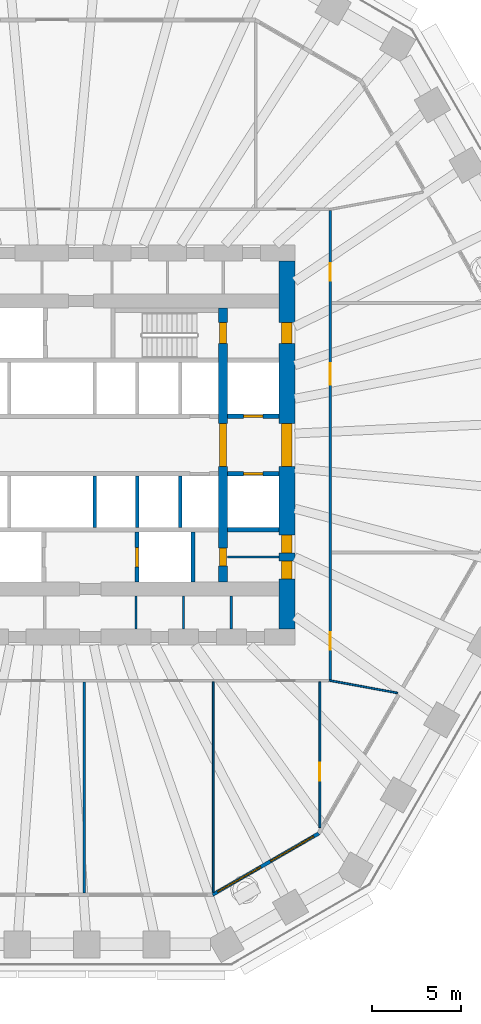
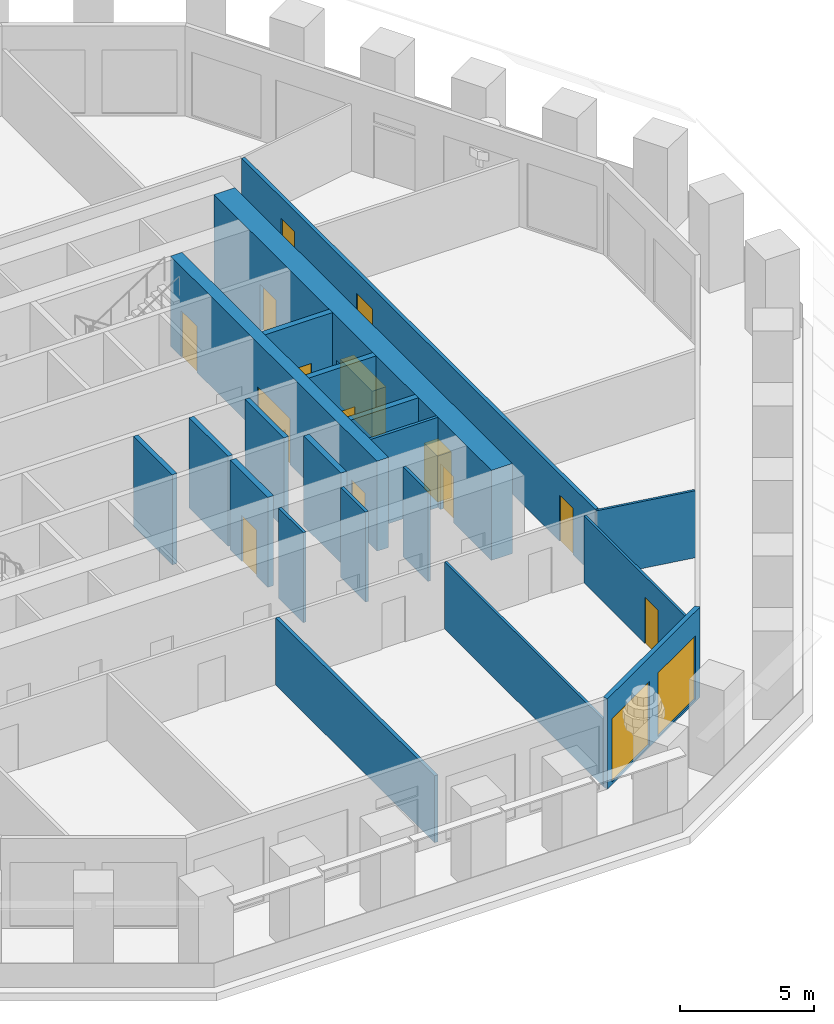
# One storey, part 5 of 12: 20 walls, 14 doors, 2 windows, 16 openings.
"""IFC4 building model written with IfcOpenShell, lengths in metres."""

from ifc_helpers import new_model, si_unit, direction, frame, frame_2d, origin, place, context, subcontext, project, spatial, polyline, rectangle, outline, extrude, material, layer, layer_set, type_object, element, fill, save


model = new_model("IFC4")

# Units and contexts
model_context = context("Model", 3, precision=1e-05, world=origin(), true_north=direction((0.0, 1.0)))
body_context = subcontext(model_context, "Body", "Model", "MODEL_VIEW")
ifc_project = project(units=[si_unit("LENGTHUNIT", "METRE"), si_unit("AREAUNIT", "SQUARE_METRE"), si_unit("VOLUMEUNIT", "CUBIC_METRE"), si_unit("PLANEANGLEUNIT", "RADIAN"), si_unit("MASSUNIT", "GRAM", prefix="KILO")], contexts=[model_context])

# Site, building, storey
site_placement = place(None, origin())
site = spatial("IfcSite", under=ifc_project, at=site_placement, CompositionType="ELEMENT")
building_placement = place(site_placement, origin())
building = spatial("IfcBuilding", under=site, at=building_placement, Name="Frailejon Research Tower", CompositionType="ELEMENT")
storey_placement = place(building_placement, frame((0.0, 0.0, 63.0)))
storey = spatial("IfcBuildingStorey", under=building, at=storey_placement, Name="L14", CompositionType="ELEMENT", Elevation=63.0)

# Walls
ifc_material_1 = material(Name="Plasterboard on steel studs", Category="steel")
ifc_layer_1 = layer(ifc_material_1, 0.125)
ifc_layer_set_1 = layer_set([ifc_layer_1], Name="Core partition 125")
wall_type_1 = type_object("IfcWallType", Name="Core partition 125", PredefinedType="PARTITIONING", material=ifc_layer_set_1)
wall_1_placement = place(storey_placement, frame((9.85009765625, -6.300048828125, 0.0), z_axis=(0.0, 0.0, 1.0), x_axis=(1.0, 0.0, 0.0)))
element("IfcWall", 1, at=wall_1_placement, inside=storey, type_object=wall_type_1, Name="Core partition", PredefinedType="PARTITIONING", context=body_context, shape_type="SweptSolid", body=[
    extrude(rectangle(XDim=2.89990234375, YDim=0.125, at=frame_2d((1.449951171875, 0.0))), origin(), (0.0, 0.0, 1.0), 4.10009765625),
])
for number, where, z_axis, x_axis, name in (
    (2, (4.71240234375, -10.35009765625, 0.0), (0.0, 0.0, 1.0), (0.0, 1.0, 0.0), "Core partition"),
    (3, (7.3916015625, -10.35009765625, 0.0), (0.0, 0.0, 1.0), (0.0, 1.0, 0.0), "Core partition"),
    (4, (10.07080078125, -10.35009765625, 0.0), (0.0, 0.0, 1.0), (0.0, 1.0, 0.0), "Core partition"),
):
    element("IfcWall", number, at=place(storey_placement, frame(where, z_axis=z_axis, x_axis=x_axis)), inside=storey, type_object=wall_type_1, Name=name, PredefinedType="PARTITIONING", context=body_context, shape_type="SweptSolid", body=[
        extrude(rectangle(XDim=1.85009765625, YDim=0.125, at=frame_2d((0.925048828125, 0.0))), origin(), (0.0, 0.0, 1.0), 4.10009765625),
    ])

# Wall, openings, doors
ifc_material_2 = material(Name="Concrete C70/85", Category="concrete")
ifc_layer_2 = layer(ifc_material_2, 0.5)
ifc_layer_set_2 = layer_set([ifc_layer_2], Name="Core shear wall 500 C70/85")
wall_type_2 = type_object("IfcWallType", Name="Core shear wall 500 C70/85", PredefinedType="SHEAR", material=ifc_layer_set_2)
wall_2_placement = place(storey_placement, frame((9.60009765625, -7.699951171875, 0.0), z_axis=(0.0, 0.0, 1.0), x_axis=(0.0, 1.0, 0.0)))
wall_2 = element("IfcWall", 5, at=wall_2_placement, inside=storey, type_object=wall_type_2, Name="Core shear wall", PredefinedType="SHEAR", context=body_context, shape_type="SweptSolid", body=[
    extrude(rectangle(XDim=15.39990234375, YDim=0.5, at=frame_2d((7.699951171875, 0.0))), origin(), (0.0, 0.0, 1.0), 4.10009765625),
])
opening_1_placement = place(wall_2_placement, frame((6.5, 0.0, 0.0)))
opening_1 = element("IfcOpeningElement", 6, at=opening_1_placement, cuts=wall_2, Name="Opening D2", PredefinedType="OPENING", context=body_context, shape_type="SweptSolid", body=[
    extrude(rectangle(XDim=2.39990234375, YDim=2.10009765625, at=frame_2d((1.199951171875, 1.050048828125))), frame((0.0, 0.260009765625, 0.0), z_axis=(0.0, -1.0, 0.0), x_axis=(1.0, 0.0, 0.0)), (0.0, 0.0, 1.0), 0.52001953125),
])
opening_2_placement = place(wall_2_placement, frame((13.39990234375, 0.0, 0.0)))
opening_2 = element("IfcOpeningElement", 7, at=opening_2_placement, cuts=wall_2, Name="Opening D1", PredefinedType="OPENING", context=body_context, shape_type="SweptSolid", body=[
    extrude(rectangle(XDim=1.199951171875, YDim=2.10009765625, at=frame_2d((0.60009765625, 1.050048828125))), frame((0.0, 0.260009765625, 0.0), z_axis=(0.0, -1.0, 0.0), x_axis=(1.0, 0.0, 0.0)), (0.0, 0.0, 1.0), 0.52001953125),
])
opening_3_placement = place(wall_2_placement, frame((0.89990234375, 0.0, 0.0)))
opening_3 = element("IfcOpeningElement", 8, at=opening_3_placement, cuts=wall_2, Name="Opening D4", PredefinedType="OPENING", context=body_context, shape_type="SweptSolid", body=[
    extrude(rectangle(XDim=1.0, YDim=2.10009765625, at=frame_2d((0.5, 1.050048828125))), frame((0.0, 0.260009765625, 0.0), z_axis=(0.0, -1.0, 0.0), x_axis=(1.0, 0.0, 0.0)), (0.0, 0.0, 1.0), 0.52001953125),
])
ifc_material_3 = material(Name="Steel", Category="steel")
door_type_1 = type_object("IfcDoorType", Name="Lobby double door", OperationType="DOUBLE_DOOR_SINGLE_SWING", PredefinedType="DOOR", material=ifc_material_3)
door_1_placement = place(opening_1_placement, origin())
door_1 = element("IfcDoor", 9, at=door_1_placement, inside=storey, type_object=door_type_1, Name="Lobby door", OperationType="DOUBLE_DOOR_SINGLE_SWING", OverallHeight=2.10009765625, OverallWidth=2.39990234375, PredefinedType="DOOR", context=body_context, shape_type="SweptSolid", body=[
    extrude(rectangle(XDim=2.39990234375, YDim=2.10009765625, at=frame_2d((1.199951171875, 1.050048828125))), frame((0.0, 0.199951171875, 0.0), z_axis=(0.0, -1.0, 0.0), x_axis=(1.0, 0.0, 0.0)), (0.0, 0.0, 1.0), 0.39990234375),
])
fill(opening_1, door_1)
ifc_material_4 = material(Name="Steel", Category="steel")
door_type_2 = type_object("IfcDoorType", Name="Service door", OperationType="SINGLE_SWING_LEFT", PredefinedType="DOOR", material=ifc_material_4)
door_2_placement = place(opening_3_placement, origin())
door_2 = element("IfcDoor", 10, at=door_2_placement, inside=storey, type_object=door_type_2, Name="Riser door", OperationType="SINGLE_SWING_LEFT", OverallHeight=2.10009765625, OverallWidth=1.0, PredefinedType="DOOR", context=body_context, shape_type="SweptSolid", body=[
    extrude(rectangle(XDim=1.0, YDim=2.10009765625, at=frame_2d((0.5, 1.050048828125))), frame((0.0, 0.199951171875, 0.0), z_axis=(0.0, -1.0, 0.0), x_axis=(1.0, 0.0, 0.0)), (0.0, 0.0, 1.0), 0.39990234375),
])
fill(opening_3, door_2)
ifc_material_5 = material(Name="Steel", Category="steel")
door_type_3 = type_object("IfcDoorType", Name="Stair door", OperationType="SINGLE_SWING_LEFT", PredefinedType="DOOR", material=ifc_material_5)
door_3_placement = place(opening_2_placement, origin())
door_3 = element("IfcDoor", 11, at=door_3_placement, inside=storey, type_object=door_type_3, Name="Stair door ST3", OperationType="SINGLE_SWING_LEFT", OverallHeight=2.10009765625, OverallWidth=1.199951171875, PredefinedType="DOOR", context=body_context, shape_type="SweptSolid", body=[
    extrude(rectangle(XDim=1.199951171875, YDim=2.10009765625, at=frame_2d((0.60009765625, 1.050048828125))), frame((0.0, 0.199951171875, 0.0), z_axis=(0.0, -1.0, 0.0), x_axis=(1.0, 0.0, 0.0)), (0.0, 0.0, 1.0), 0.39990234375),
])
fill(opening_2, door_3)

ifc_material_6 = material(Name="Concrete C70/85", Category="concrete")
ifc_layer_3 = layer(ifc_material_6, 0.89990234375)
ifc_layer_set_3 = layer_set([ifc_layer_3], Name="Core shear wall 900 C70/85")
wall_type_3 = type_object("IfcWallType", Name="Core shear wall 900 C70/85", PredefinedType="SHEAR", material=ifc_layer_set_3)
wall_3_placement = place(storey_placement, frame((13.199951171875, -10.35009765625, 0.0), z_axis=(0.0, 0.0, 1.0), x_axis=(0.0, 1.0, 0.0)))
wall_3 = element("IfcWall", 12, at=wall_3_placement, inside=storey, type_object=wall_type_3, Name="Core shear wall", PredefinedType="SHEAR", context=body_context, shape_type="SweptSolid", body=[
    extrude(rectangle(XDim=20.7001953125, YDim=0.89990234375, at=frame_2d((10.35009765625, 0.0))), origin(), (0.0, 0.0, 1.0), 4.10009765625),
])
opening_4_placement = place(wall_3_placement, frame((9.14990234375, 0.0, 0.0)))
opening_4 = element("IfcOpeningElement", 13, at=opening_4_placement, cuts=wall_3, Name="Opening D2", PredefinedType="OPENING", context=body_context, shape_type="SweptSolid", body=[
    extrude(rectangle(XDim=2.39990234375, YDim=2.10009765625, at=frame_2d((1.199951171875, 1.050048828125))), frame((0.0, 0.4599609375, 0.0), z_axis=(0.0, -1.0, 0.0), x_axis=(1.0, 0.0, 0.0)), (0.0, 0.0, 1.0), 0.919921875),
])
opening_5_placement = place(wall_3_placement, frame((16.050048828125, 0.0, 0.0)))
opening_5 = element("IfcOpeningElement", 14, at=opening_5_placement, cuts=wall_3, Name="Opening D7", PredefinedType="OPENING", context=body_context, shape_type="SweptSolid", body=[
    extrude(rectangle(XDim=1.199951171875, YDim=2.10009765625, at=frame_2d((0.60009765625, 1.050048828125))), frame((0.0, 0.4599609375, 0.0), z_axis=(0.0, -1.0, 0.0), x_axis=(1.0, 0.0, 0.0)), (0.0, 0.0, 1.0), 0.919921875),
])
opening_6_placement = place(wall_3_placement, frame((2.81884765625, 0.0, 0.0)))
opening_6 = element("IfcOpeningElement", 15, at=opening_6_placement, cuts=wall_3, Name="Opening D4", PredefinedType="OPENING", context=body_context, shape_type="SweptSolid", body=[
    extrude(rectangle(XDim=1.0, YDim=2.10009765625, at=frame_2d((0.5, 1.050048828125))), frame((0.0, 0.4599609375, 0.0), z_axis=(0.0, -1.0, 0.0), x_axis=(1.0, 0.0, 0.0)), (0.0, 0.0, 1.0), 0.919921875),
])
opening_7_placement = place(wall_3_placement, frame((4.28125, 0.0, 0.0)))
opening_7 = element("IfcOpeningElement", 16, at=opening_7_placement, cuts=wall_3, Name="Opening D4", PredefinedType="OPENING", context=body_context, shape_type="SweptSolid", body=[
    extrude(rectangle(XDim=1.0, YDim=2.10009765625, at=frame_2d((0.5, 1.050048828125))), frame((0.0, 0.4599609375, 0.0), z_axis=(0.0, -1.0, 0.0), x_axis=(1.0, 0.0, 0.0)), (0.0, 0.0, 1.0), 0.919921875),
])
door_4_placement = place(opening_4_placement, origin())
door_4 = element("IfcDoor", 17, at=door_4_placement, inside=storey, type_object=door_type_1, Name="Lobby door", OperationType="DOUBLE_DOOR_SINGLE_SWING", OverallHeight=2.10009765625, OverallWidth=2.39990234375, PredefinedType="DOOR", context=body_context, shape_type="SweptSolid", body=[
    extrude(rectangle(XDim=2.39990234375, YDim=2.10009765625, at=frame_2d((1.199951171875, 1.050048828125))), frame((0.0, 0.300048828125, 0.0), z_axis=(0.0, -1.0, 0.0), x_axis=(1.0, 0.0, 0.0)), (0.0, 0.0, 1.0), 0.60009765625),
])
fill(opening_4, door_4)
door_5_placement = place(opening_6_placement, origin())
door_5 = element("IfcDoor", 18, at=door_5_placement, inside=storey, type_object=door_type_2, Name="Store door", OperationType="SINGLE_SWING_RIGHT", OverallHeight=2.10009765625, OverallWidth=1.0, PredefinedType="DOOR", context=body_context, shape_type="SweptSolid", body=[
    extrude(rectangle(XDim=1.0, YDim=2.10009765625, at=frame_2d((0.5, 1.050048828125))), frame((0.0, 0.300048828125, 0.0), z_axis=(0.0, -1.0, 0.0), x_axis=(1.0, 0.0, 0.0)), (0.0, 0.0, 1.0), 0.60009765625),
])
fill(opening_6, door_5)
door_6_placement = place(opening_7_placement, origin())
door_6 = element("IfcDoor", 19, at=door_6_placement, inside=storey, type_object=door_type_2, Name="Store door", OperationType="SINGLE_SWING_LEFT", OverallHeight=2.10009765625, OverallWidth=1.0, PredefinedType="DOOR", context=body_context, shape_type="SweptSolid", body=[
    extrude(rectangle(XDim=1.0, YDim=2.10009765625, at=frame_2d((0.5, 1.050048828125))), frame((0.0, 0.300048828125, 0.0), z_axis=(0.0, -1.0, 0.0), x_axis=(1.0, 0.0, 0.0)), (0.0, 0.0, 1.0), 0.60009765625),
])
fill(opening_7, door_6)
ifc_material_7 = material(Name="Steel", Category="steel")
door_type_4 = type_object("IfcDoorType", Name="Stair exit door", OperationType="SINGLE_SWING_LEFT", PredefinedType="DOOR", material=ifc_material_7)
door_7_placement = place(opening_5_placement, origin())
door_7 = element("IfcDoor", 20, at=door_7_placement, inside=storey, type_object=door_type_4, Name="Stair exit door ST3", OperationType="SINGLE_SWING_RIGHT", OverallHeight=2.10009765625, OverallWidth=1.199951171875, PredefinedType="DOOR", context=body_context, shape_type="SweptSolid", body=[
    extrude(rectangle(XDim=1.199951171875, YDim=2.10009765625, at=frame_2d((0.60009765625, 1.050048828125))), frame((0.0, 0.300048828125, 0.0), z_axis=(0.0, -1.0, 0.0), x_axis=(1.0, 0.0, 0.0)), (0.0, 0.0, 1.0), 0.60009765625),
])
fill(opening_5, door_7)

ifc_material_8 = material(Name="Gypsum board and masonry partition", Category="masonry")
ifc_layer_4 = layer(ifc_material_8, 0.14990234375)
ifc_layer_set_4 = layer_set([ifc_layer_4], Name="Corridor wall EI 60, gypsum on steel studs 150")
wall_type_4 = type_object("IfcWallType", Name="Corridor wall EI 60, gypsum on steel studs 150", PredefinedType="PARTITIONING", material=ifc_layer_set_4)
wall_4_placement = place(storey_placement, frame((15.64990234375, -13.175048828125, 0.0), z_axis=(0.0, 0.0, 1.0), x_axis=(0.0, 1.0, 0.0)))
wall_4 = element("IfcWall", 21, at=wall_4_placement, inside=storey, type_object=wall_type_4, Name="T:IW:L14:001", PredefinedType="PARTITIONING", context=body_context, shape_type="SweptSolid", body=[
    extrude(rectangle(XDim=26.35009765625, YDim=0.14990234375, at=frame_2d((13.175048828125, 0.0))), origin(), (0.0, 0.0, 1.0), 3.050048828125),
])
opening_8_placement = place(wall_4_placement, frame((16.576416015625, 0.0, 0.0)))
opening_8 = element("IfcOpeningElement", 22, at=opening_8_placement, cuts=wall_4, Name="Opening D1451", PredefinedType="OPENING", context=body_context, shape_type="SweptSolid", body=[
    extrude(rectangle(XDim=1.199951171875, YDim=2.10009765625, at=frame_2d((0.60009765625, 1.050048828125))), frame((0.0, 0.0849609375, 0.0), z_axis=(0.0, -1.0, 0.0), x_axis=(1.0, 0.0, 0.0)), (0.0, 0.0, 1.0), 0.169921875),
])
opening_9_placement = place(wall_4_placement, frame((22.40087890625, 0.0, 0.0)))
opening_9 = element("IfcOpeningElement", 23, at=opening_9_placement, cuts=wall_4, Name="Opening D1452", PredefinedType="OPENING", context=body_context, shape_type="SweptSolid", body=[
    extrude(rectangle(XDim=1.0, YDim=2.10009765625, at=frame_2d((0.5, 1.050048828125))), frame((0.0, 0.0849609375, 0.0), z_axis=(0.0, -1.0, 0.0), x_axis=(1.0, 0.0, 0.0)), (0.0, 0.0, 1.0), 0.169921875),
])
opening_10_placement = place(wall_4_placement, frame((1.650390625, 0.0, 0.0)))
opening_10 = element("IfcOpeningElement", 24, at=opening_10_placement, cuts=wall_4, Name="Opening D1466", PredefinedType="OPENING", context=body_context, shape_type="SweptSolid", body=[
    extrude(rectangle(XDim=1.0, YDim=2.10009765625, at=frame_2d((0.5, 1.050048828125))), frame((0.0, 0.0849609375, 0.0), z_axis=(0.0, -1.0, 0.0), x_axis=(1.0, 0.0, 0.0)), (0.0, 0.0, 1.0), 0.169921875),
])
ifc_material_9 = material(Name="Timber door leaf", Category="wood")
door_type_5 = type_object("IfcDoorType", Name="Door laboratory, timber, vision panel 1200", OperationType="NOTDEFINED", PredefinedType="DOOR", material=ifc_material_9)
door_8_placement = place(opening_8_placement, origin())
door_8 = element("IfcDoor", 25, at=door_8_placement, inside=storey, type_object=door_type_5, Name="D1451", OperationType="DOUBLE_DOOR_SINGLE_SWING", OverallHeight=2.10009765625, OverallWidth=1.199951171875, PredefinedType="DOOR", context=body_context, shape_type="SweptSolid", body=[
    extrude(rectangle(XDim=1.199951171875, YDim=2.10009765625, at=frame_2d((0.60009765625, 1.050048828125))), frame((0.0, 0.02490234375, 0.0), z_axis=(0.0, -1.0, 0.0), x_axis=(1.0, 0.0, 0.0)), (0.0, 0.0, 1.0), 0.050048828125),
])
fill(opening_8, door_8)
ifc_material_10 = material(Name="Timber door leaf", Category="wood")
door_type_6 = type_object("IfcDoorType", Name="Door single leaf, timber, steel frame 1000", OperationType="NOTDEFINED", PredefinedType="DOOR", material=ifc_material_10)
door_9_placement = place(opening_9_placement, origin())
door_9 = element("IfcDoor", 26, at=door_9_placement, inside=storey, type_object=door_type_6, Name="D1452", OperationType="SINGLE_SWING_RIGHT", OverallHeight=2.10009765625, OverallWidth=1.0, PredefinedType="DOOR", context=body_context, shape_type="SweptSolid", body=[
    extrude(rectangle(XDim=1.0, YDim=2.10009765625, at=frame_2d((0.5, 1.050048828125))), frame((0.0, 0.02490234375, 0.0), z_axis=(0.0, -1.0, 0.0), x_axis=(1.0, 0.0, 0.0)), (0.0, 0.0, 1.0), 0.050048828125),
])
fill(opening_9, door_9)
door_10_placement = place(opening_10_placement, origin())
door_10 = element("IfcDoor", 27, at=door_10_placement, inside=storey, type_object=door_type_6, Name="D1466", OperationType="SINGLE_SWING_RIGHT", OverallHeight=2.10009765625, OverallWidth=1.0, PredefinedType="DOOR", context=body_context, shape_type="SweptSolid", body=[
    extrude(rectangle(XDim=1.0, YDim=2.10009765625, at=frame_2d((0.5, 1.050048828125))), frame((0.0, 0.02490234375, 0.0), z_axis=(0.0, -1.0, 0.0), x_axis=(1.0, 0.0, 0.0)), (0.0, 0.0, 1.0), 0.050048828125),
])
fill(opening_10, door_10)

# Walls
ifc_material_11 = material(Name="Gypsum board and masonry partition", Category="masonry")
ifc_layer_5 = layer(ifc_material_11, 0.14990234375)
ifc_layer_set_5 = layer_set([ifc_layer_5], Name="Laboratory partition, blockwork 150")
wall_type_5 = type_object("IfcWallType", Name="Laboratory partition, blockwork 150", PredefinedType="PARTITIONING", material=ifc_layer_set_5)
wall_5_placement = place(storey_placement, frame((1.8115234375, -25.182861328125, 0.0), z_axis=(0.0, 0.0, 1.0), x_axis=(0.0, 1.0, 0.0)))
element("IfcWall", 28, at=wall_5_placement, inside=storey, type_object=wall_type_5, Name="T:IW:L14:015", PredefinedType="PARTITIONING", context=body_context, shape_type="SweptSolid", body=[
    extrude(rectangle(XDim=11.85791015625, YDim=0.14990234375, at=frame_2d((5.928955078125, 0.0))), origin(), (0.0, 0.0, 1.0), 3.050048828125),
])
ifc_material_12 = material(Name="Gypsum board and masonry partition", Category="masonry")
ifc_layer_6 = layer(ifc_material_12, 0.10009765625)
ifc_layer_set_6 = layer_set([ifc_layer_6], Name="Partition, gypsum on steel studs 100")
wall_type_6 = type_object("IfcWallType", Name="Partition, gypsum on steel studs 100", PredefinedType="PARTITIONING", material=ifc_layer_set_6)
wall_6_placement = place(storey_placement, frame((9.05810546875, -25.15185546875, 0.0), z_axis=(0.0, 0.0, 1.0), x_axis=(0.0, 1.0, 0.0)))
element("IfcWall", 29, at=wall_6_placement, inside=storey, type_object=wall_type_6, Name="T:IW:L14:018", PredefinedType="PARTITIONING", context=body_context, shape_type="SweptSolid", body=[
    extrude(rectangle(XDim=11.826904296875, YDim=0.10009765625, at=frame_2d((5.91357421875, 0.0))), origin(), (0.0, 0.0, 1.0), 3.050048828125),
])

# Wall, opening, door
wall_7_placement = place(storey_placement, frame((15.05810546875, -21.518798828125, 0.0), z_axis=(0.0, 0.0, 1.0), x_axis=(0.0, 1.0, 0.0)))
wall_7 = element("IfcWall", 30, at=wall_7_placement, inside=storey, type_object=wall_type_6, Name="T:IW:L14:019", PredefinedType="PARTITIONING", context=body_context, shape_type="SweptSolid", body=[
    extrude(rectangle(XDim=8.19384765625, YDim=0.10009765625, at=frame_2d((4.096923828125, 0.0))), origin(), (0.0, 0.0, 1.0), 3.050048828125),
])
opening_11_placement = place(wall_7_placement, frame((2.64892578125, 0.0, 0.0)))
opening_11 = element("IfcOpeningElement", 31, at=opening_11_placement, cuts=wall_7, Name="Opening D1465", PredefinedType="OPENING", context=body_context, shape_type="SweptSolid", body=[
    extrude(rectangle(XDim=1.0, YDim=2.10009765625, at=frame_2d((0.5, 1.050048828125))), frame((0.0, 0.06005859375, 0.0), z_axis=(0.0, -1.0, 0.0), x_axis=(1.0, 0.0, 0.0)), (0.0, 0.0, 1.0), 0.1201171875),
])
door_11_placement = place(opening_11_placement, origin())
door_11 = element("IfcDoor", 32, at=door_11_placement, inside=storey, type_object=door_type_6, Name="D1465", OperationType="SINGLE_SWING_RIGHT", OverallHeight=2.10009765625, OverallWidth=1.0, PredefinedType="DOOR", context=body_context, shape_type="SweptSolid", body=[
    extrude(rectangle(XDim=1.0, YDim=2.10009765625, at=frame_2d((0.5, 1.050048828125))), frame((0.0, 0.02490234375, 0.0), z_axis=(0.0, -1.0, 0.0), x_axis=(1.0, 0.0, 0.0)), (0.0, 0.0, 1.0), 0.050048828125),
])
fill(opening_11, door_11)

# Walls
wall_8_placement = place(storey_placement, frame((15.576171875, -13.236328125, 0.0), z_axis=(0.0, 0.0, 1.0), x_axis=(0.983499014775, -0.18091348191, 0.0)))
element("IfcWall", 33, at=wall_8_placement, inside=storey, type_object=wall_type_6, Name="T:IW:L14:020", PredefinedType="PARTITIONING", context=body_context, shape_type="SweptSolid", body=[
    extrude(rectangle(XDim=3.9189453125, YDim=0.10009765625, at=frame_2d((1.95947265625, 0.0))), origin(), (0.0, 0.0, 1.0), 3.050048828125),
])
ifc_material_13 = material(Name="Concrete C70/85", Category="concrete")
ifc_layer_7 = layer(ifc_material_13, 0.199951171875)
ifc_layer_set_7 = layer_set([ifc_layer_7], Name="Shaft wall 200 C70/85")
wall_type_7 = type_object("IfcWallType", Name="Shaft wall 200 C70/85", PredefinedType="SOLIDWALL", material=ifc_layer_set_7)
for number, where, z_axis, x_axis, name in (
    (34, (2.39990234375, -4.64990234375, 0.0), (0.0, 0.0, 1.0), (0.0, 1.0, 0.0), "Shaft wall"),
    (35, (4.800048828125, -4.64990234375, 0.0), (0.0, 0.0, 1.0), (0.0, 1.0, 0.0), "Shaft wall"),
    (36, (7.199951171875, -4.64990234375, 0.0), (0.0, 0.0, 1.0), (0.0, 1.0, 0.0), "Shaft wall"),
):
    element("IfcWall", number, at=place(storey_placement, frame(where, z_axis=z_axis, x_axis=x_axis)), inside=storey, type_object=wall_type_7, Name=name, PredefinedType="SOLIDWALL", context=body_context, shape_type="SweptSolid", body=[
        extrude(rectangle(XDim=2.89990234375, YDim=0.199951171875, at=frame_2d((1.449951171875, 0.0))), origin(), (0.0, 0.0, 1.0), 4.10009765625),
    ])

# Wall, opening, door
ifc_material_14 = material(Name="Concrete C70/85", Category="concrete")
ifc_layer_8 = layer(ifc_material_14, 0.25)
ifc_layer_set_8 = layer_set([ifc_layer_8], Name="Shaft wall 250 C70/85")
wall_type_8 = type_object("IfcWallType", Name="Shaft wall 250 C70/85", PredefinedType="SOLIDWALL", material=ifc_layer_set_8)
wall_9_placement = place(storey_placement, frame((9.85009765625, 1.625, 0.0), z_axis=(0.0, 0.0, 1.0), x_axis=(1.0, 0.0, 0.0)))
wall_9 = element("IfcWall", 37, at=wall_9_placement, inside=storey, type_object=wall_type_8, Name="Shaft wall", PredefinedType="SOLIDWALL", context=body_context, shape_type="SweptSolid", body=[
    extrude(rectangle(XDim=2.89990234375, YDim=0.25, at=frame_2d((1.449951171875, 0.0))), origin(), (0.0, 0.0, 1.0), 4.10009765625),
])
opening_12_placement = place(wall_9_placement, frame((0.89990234375, 0.0, 0.0)))
opening_12 = element("IfcOpeningElement", 38, at=opening_12_placement, cuts=wall_9, Name="Opening LD", PredefinedType="OPENING", context=body_context, shape_type="SweptSolid", body=[
    extrude(rectangle(XDim=1.10009765625, YDim=2.10009765625, at=frame_2d((0.550048828125, 1.050048828125))), frame((0.0, 0.135009765625, 0.0), z_axis=(0.0, -1.0, 0.0), x_axis=(1.0, 0.0, 0.0)), (0.0, 0.0, 1.0), 0.27001953125),
])
ifc_material_15 = material(Name="Steel", Category="steel")
door_type_7 = type_object("IfcDoorType", Name="Lift landing door", OperationType="DOUBLE_DOOR_SLIDING", PredefinedType="DOOR", material=ifc_material_15)
door_12_placement = place(opening_12_placement, origin())
door_12 = element("IfcDoor", 39, at=door_12_placement, inside=storey, type_object=door_type_7, Name="Lift landing door", OperationType="DOUBLE_DOOR_SLIDING", OverallHeight=2.10009765625, OverallWidth=1.10009765625, PredefinedType="DOOR", context=body_context, shape_type="SweptSolid", body=[
    extrude(rectangle(XDim=1.10009765625, YDim=2.10009765625, at=frame_2d((0.550048828125, 1.050048828125))), frame((0.0, 0.074951171875, 0.0), z_axis=(0.0, -1.0, 0.0), x_axis=(1.0, 0.0, 0.0)), (0.0, 0.0, 1.0), 0.14990234375),
])
fill(opening_12, door_12)

wall_10_placement = place(storey_placement, frame((9.85009765625, -1.625, 0.0), z_axis=(0.0, 0.0, 1.0), x_axis=(1.0, 0.0, 0.0)))
wall_10 = element("IfcWall", 40, at=wall_10_placement, inside=storey, type_object=wall_type_8, Name="Shaft wall", PredefinedType="SOLIDWALL", context=body_context, shape_type="SweptSolid", body=[
    extrude(rectangle(XDim=2.89990234375, YDim=0.25, at=frame_2d((1.449951171875, 0.0))), origin(), (0.0, 0.0, 1.0), 4.10009765625),
])
opening_13_placement = place(wall_10_placement, frame((0.89990234375, 0.0, 0.0)))
opening_13 = element("IfcOpeningElement", 41, at=opening_13_placement, cuts=wall_10, Name="Opening LD", PredefinedType="OPENING", context=body_context, shape_type="SweptSolid", body=[
    extrude(rectangle(XDim=1.10009765625, YDim=2.10009765625, at=frame_2d((0.550048828125, 1.050048828125))), frame((0.0, 0.135009765625, 0.0), z_axis=(0.0, -1.0, 0.0), x_axis=(1.0, 0.0, 0.0)), (0.0, 0.0, 1.0), 0.27001953125),
])
door_13_placement = place(opening_13_placement, origin())
door_13 = element("IfcDoor", 42, at=door_13_placement, inside=storey, type_object=door_type_7, Name="Lift landing door", OperationType="DOUBLE_DOOR_SLIDING", OverallHeight=2.10009765625, OverallWidth=1.10009765625, PredefinedType="DOOR", context=body_context, shape_type="SweptSolid", body=[
    extrude(rectangle(XDim=1.10009765625, YDim=2.10009765625, at=frame_2d((0.550048828125, 1.050048828125))), frame((0.0, 0.074951171875, 0.0), z_axis=(0.0, -1.0, 0.0), x_axis=(1.0, 0.0, 0.0)), (0.0, 0.0, 1.0), 0.14990234375),
])
fill(opening_13, door_13)

# Wall
wall_11_placement = place(storey_placement, frame((9.85009765625, -4.77490234375, 0.0), z_axis=(0.0, 0.0, 1.0), x_axis=(1.0, 0.0, 0.0)))
element("IfcWall", 43, at=wall_11_placement, inside=storey, type_object=wall_type_8, Name="Shaft wall", PredefinedType="SOLIDWALL", context=body_context, shape_type="SweptSolid", body=[
    extrude(rectangle(XDim=2.89990234375, YDim=0.25, at=frame_2d((1.449951171875, 0.0))), origin(), (0.0, 0.0, 1.0), 4.10009765625),
])

# Wall, opening, door
wall_12_placement = place(storey_placement, frame((4.77490234375, -7.699951171875, 0.0), z_axis=(0.0, 0.0, 1.0), x_axis=(0.0, 1.0, 0.0)))
wall_12 = element("IfcWall", 44, at=wall_12_placement, inside=storey, type_object=wall_type_8, Name="Shaft wall", PredefinedType="SOLIDWALL", context=body_context, shape_type="SweptSolid", body=[
    extrude(rectangle(XDim=2.800048828125, YDim=0.25, at=frame_2d((1.39990234375, 0.0))), origin(), (0.0, 0.0, 1.0), 4.10009765625),
])
opening_14_placement = place(wall_12_placement, frame((0.85009765625, 0.0, 0.0)))
opening_14 = element("IfcOpeningElement", 45, at=opening_14_placement, cuts=wall_12, Name="Opening LD", PredefinedType="OPENING", context=body_context, shape_type="SweptSolid", body=[
    extrude(rectangle(XDim=1.10009765625, YDim=2.10009765625, at=frame_2d((0.550048828125, 1.050048828125))), frame((0.0, 0.135009765625, 0.0), z_axis=(0.0, -1.0, 0.0), x_axis=(1.0, 0.0, 0.0)), (0.0, 0.0, 1.0), 0.27001953125),
])
door_14_placement = place(opening_14_placement, origin())
door_14 = element("IfcDoor", 46, at=door_14_placement, inside=storey, type_object=door_type_7, Name="Lift landing door", OperationType="DOUBLE_DOOR_SLIDING", OverallHeight=2.10009765625, OverallWidth=1.10009765625, PredefinedType="DOOR", context=body_context, shape_type="SweptSolid", body=[
    extrude(rectangle(XDim=1.10009765625, YDim=2.10009765625, at=frame_2d((0.550048828125, 1.050048828125))), frame((0.0, 0.074951171875, 0.0), z_axis=(0.0, -1.0, 0.0), x_axis=(1.0, 0.0, 0.0)), (0.0, 0.0, 1.0), 0.14990234375),
])
fill(opening_14, door_14)

# Wall
wall_13_placement = place(storey_placement, frame((7.925048828125, -7.699951171875, 0.0), z_axis=(0.0, 0.0, 1.0), x_axis=(0.0, 1.0, 0.0)))
element("IfcWall", 47, at=wall_13_placement, inside=storey, type_object=wall_type_8, Name="Shaft wall", PredefinedType="SOLIDWALL", context=body_context, shape_type="SweptSolid", body=[
    extrude(rectangle(XDim=2.800048828125, YDim=0.25, at=frame_2d((1.39990234375, 0.0))), origin(), (0.0, 0.0, 1.0), 4.10009765625),
])

# Wall, openings, windows
ifc_material_16 = material(Name="Concrete C40/50 precast window wall panel", Category="concrete")
ifc_layer_9 = layer(ifc_material_16, 0.199951171875)
ifc_layer_set_9 = layer_set([ifc_layer_9], Name="Window wall 200")
wall_type_9 = type_object("IfcWallType", Name="Window wall 200", PredefinedType="SOLIDWALL", material=ifc_layer_set_9)
wall_14_placement = place(storey_placement, frame((9.03125, -25.28271484375, 0.0), z_axis=(0.0, 0.0, 1.0), x_axis=(0.866029458321, 0.49999297727, 0.0)))
wall_14 = element("IfcWall", 48, at=wall_14_placement, inside=storey, type_object=wall_type_9, Name="Exterior wall L14", PredefinedType="SOLIDWALL", context=body_context, shape_type="SweptSolid", body=[
    extrude(outline(polyline([(-0.02685546875, -0.10009765625), (1.1279296875, -0.10009765625), (2.282470703125, -0.10009765625), (3.437255859375, -0.10009765625), (4.592041015625, -0.10009765625), (5.74658203125, -0.10009765625), (6.9013671875, -0.10009765625), (6.84765625, 0.10009765625), (5.7109375, 0.10009765625), (4.573974609375, 0.10009765625), (3.437255859375, 0.10009765625), (2.300537109375, 0.10009765625), (1.16357421875, 0.10009765625), (0.02685546875, 0.10009765625), (-0.02685546875, -0.10009765625)])), origin(), (0.0, 0.0, 1.0), 4.10009765625),
])
opening_15_placement = place(wall_14_placement, frame((0.318603515625, 0.0, 0.10009765625)))
opening_15 = element("IfcOpeningElement", 49, at=opening_15_placement, cuts=wall_14, Name="Opening W3", PredefinedType="OPENING", context=body_context, shape_type="SweptSolid", body=[
    extrude(rectangle(XDim=2.800048828125, YDim=2.89990234375, at=frame_2d((1.39990234375, 1.449951171875))), frame((0.0, 0.10986328125, 0.0), z_axis=(0.0, -1.0, 0.0), x_axis=(1.0, 0.0, 0.0)), (0.0, 0.0, 1.0), 0.219970703125),
])
opening_16_placement = place(wall_14_placement, frame((3.756103515625, 0.0, 0.10009765625)))
opening_16 = element("IfcOpeningElement", 50, at=opening_16_placement, cuts=wall_14, Name="Opening W3", PredefinedType="OPENING", context=body_context, shape_type="SweptSolid", body=[
    extrude(rectangle(XDim=2.800048828125, YDim=2.89990234375, at=frame_2d((1.39990234375, 1.449951171875))), frame((0.0, 0.10986328125, 0.0), z_axis=(0.0, -1.0, 0.0), x_axis=(1.0, 0.0, 0.0)), (0.0, 0.0, 1.0), 0.219970703125),
])
ifc_material_17 = material(Name="Aluminium framed double glazing", Category="aluminium")
window_type = type_object("IfcWindowType", Name="Window 2800x2900", PartitioningType="SINGLE_PANEL", PredefinedType="WINDOW", material=ifc_material_17)
window_1_placement = place(opening_15_placement, origin())
window_1 = element("IfcWindow", 51, at=window_1_placement, inside=storey, type_object=window_type, Name="Window L14", OverallHeight=2.89990234375, OverallWidth=2.800048828125, PartitioningType="SINGLE_PANEL", PredefinedType="WINDOW", context=body_context, shape_type="SweptSolid", body=[
    extrude(rectangle(XDim=2.800048828125, YDim=2.89990234375, at=frame_2d((1.39990234375, 1.449951171875))), frame((0.0, 0.030029296875, 0.0), z_axis=(0.0, -1.0, 0.0), x_axis=(1.0, 0.0, 0.0)), (0.0, 0.0, 1.0), 0.06005859375),
])
fill(opening_15, window_1)
window_2_placement = place(opening_16_placement, origin())
window_2 = element("IfcWindow", 52, at=window_2_placement, inside=storey, type_object=window_type, Name="Window L14", OverallHeight=2.89990234375, OverallWidth=2.800048828125, PartitioningType="SINGLE_PANEL", PredefinedType="WINDOW", context=body_context, shape_type="SweptSolid", body=[
    extrude(rectangle(XDim=2.800048828125, YDim=2.89990234375, at=frame_2d((1.39990234375, 1.449951171875))), frame((0.0, 0.030029296875, 0.0), z_axis=(0.0, -1.0, 0.0), x_axis=(1.0, 0.0, 0.0)), (0.0, 0.0, 1.0), 0.06005859375),
])
fill(opening_16, window_2)

save(model, "model.ifc")
